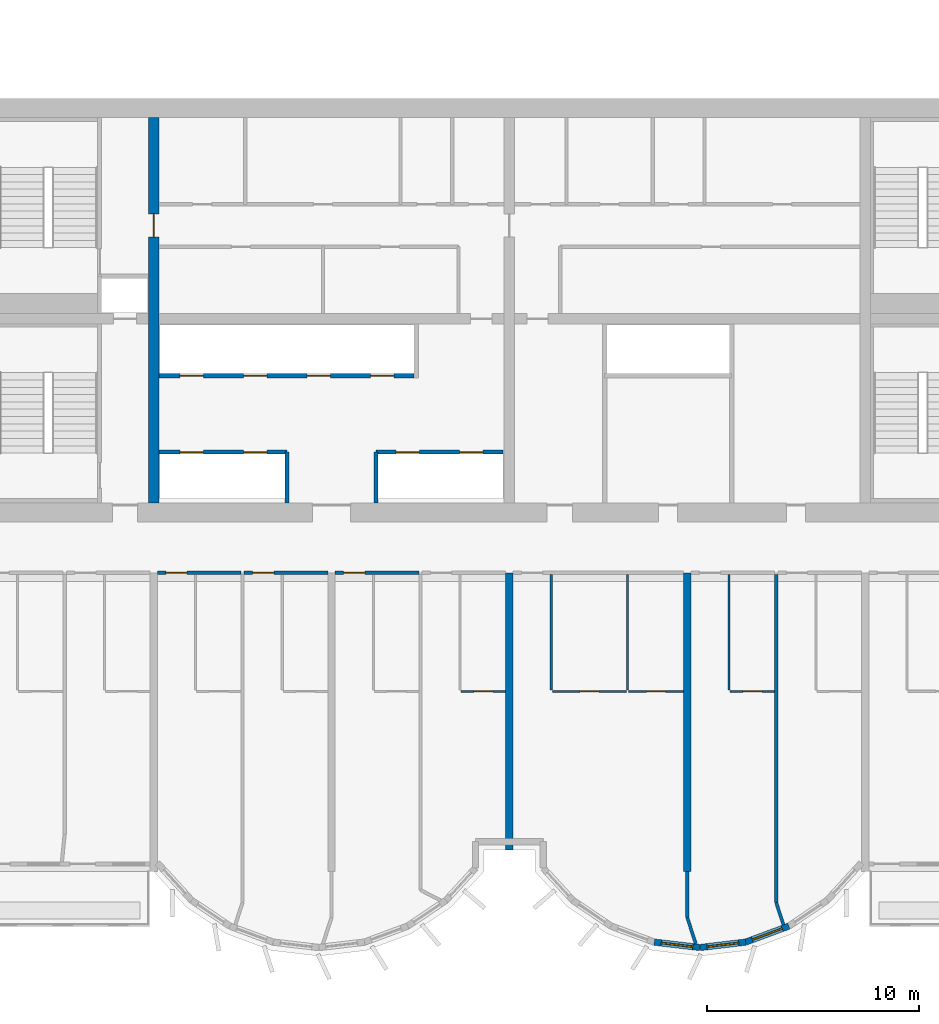
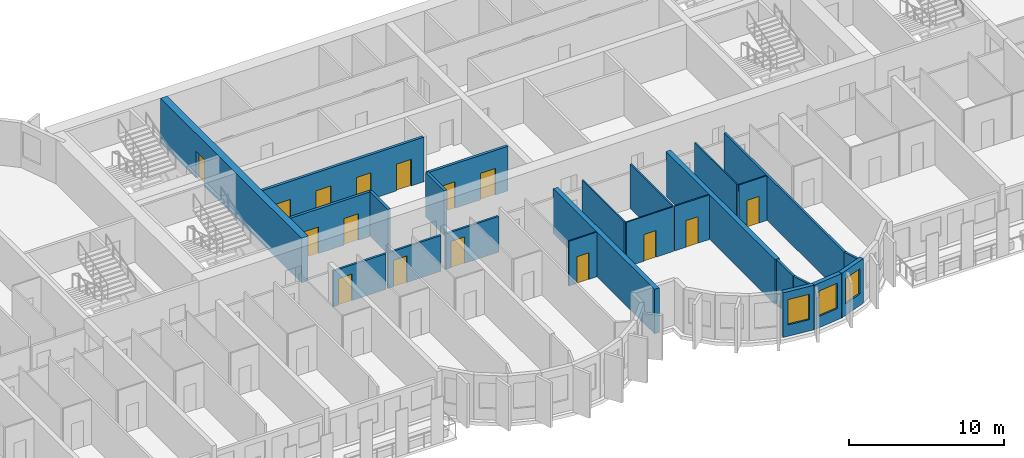
# One storey, part 6 of 15: 25 walls, 16 doors, 3 windows, 19 openings.
"""IFC4 building model written with IfcOpenShell, lengths in metres."""

from ifc_helpers import new_model, si_unit, direction, frame, frame_2d, origin, place, context, subcontext, project, spatial, rectangle, extrude, source, transform, mapped, material, layer, layer_set, type_object, element, fill, save


model = new_model("IFC4")

# Units and contexts
model_context = context("Model", 3, precision=1e-05, world=origin(), true_north=direction((0.0, 1.0)))
body_context = subcontext(model_context, "Body", "Model", "MODEL_VIEW")
ifc_project = project(units=[si_unit("LENGTHUNIT", "METRE"), si_unit("AREAUNIT", "SQUARE_METRE"), si_unit("VOLUMEUNIT", "CUBIC_METRE"), si_unit("PLANEANGLEUNIT", "RADIAN"), si_unit("MASSUNIT", "GRAM", prefix="KILO")], contexts=[model_context])

# Site, building, storey
site_placement = place(None, origin())
site = spatial("IfcSite", under=ifc_project, at=site_placement, CompositionType="ELEMENT")
building_placement = place(site_placement, origin())
building = spatial("IfcBuilding", under=site, at=building_placement, Name="Vanashikhar Sky Hotel", CompositionType="ELEMENT")
storey_placement = place(building_placement, frame((0.0, 0.0, 106.60009765625)))
storey = spatial("IfcBuildingStorey", under=building, at=storey_placement, Name="L25", CompositionType="ELEMENT", Elevation=106.60009765625)

# Wall, opening, door
ifc_material_1 = material(Name="Concrete M70", Category="concrete")
ifc_layer_1 = layer(ifc_material_1, 0.5)
ifc_layer_set_1 = layer_set([ifc_layer_1], Name="RC core inner wall 500 Concrete M70")
wall_type_1 = type_object("IfcWallType", Name="RC core inner wall 500 Concrete M70", PredefinedType="SHEAR", material=ifc_layer_set_1)
shared_shape_1 = source(origin(), body_context, "Body", "SweptSolid", [
    extrude(rectangle(XDim=18.2001953125, YDim=0.5, at=frame_2d((9.10009765625, 0.0))), origin(), (0.0, 0.0, 1.0), 3.52001953125),
])
wall_1_placement = place(storey_placement, frame((33.60009765625, 22.89990234375, 0.0), z_axis=(0.0, 0.0, 1.0), x_axis=(0.0, 1.0, 0.0)))
wall_1 = element("IfcWall", 1, at=wall_1_placement, inside=storey, type_object=wall_type_1, Name="KW-L25-KX1", PredefinedType="SHEAR", context=body_context, shape_type="MappedRepresentation", body=[
    mapped(shared_shape_1, transform((0.0, 0.0, 0.0), scale=1.0)),
])
shared_shape_2 = source(origin(), body_context, "Body", "SweptSolid", [
    extrude(rectangle(XDim=1.10009765625, YDim=2.10009765625, at=frame_2d((0.550048828125, 1.050048828125))), frame((0.0, 0.260009765625, 0.0), z_axis=(0.0, -1.0, 0.0), x_axis=(1.0, 0.0, 0.0)), (0.0, 0.0, 1.0), 0.52001953125),
])
opening_1_placement = place(wall_1_placement, frame((12.550048828125, 0.0, 0.0)))
opening_1 = element("IfcOpeningElement", 2, at=opening_1_placement, cuts=wall_1, Name="Opening DC-4-C", PredefinedType="OPENING", context=body_context, shape_type="MappedRepresentation", body=[
    mapped(shared_shape_2, transform((0.0, 0.0, 0.0), scale=1.0)),
])
ifc_material_2 = material(Name="Steel", Category="steel")
door_type_1 = type_object("IfcDoorType", Name="Service door 1100 FD60", OperationType="NOTDEFINED", PredefinedType="DOOR", material=ifc_material_2)
shared_shape_3 = source(origin(), body_context, "Body", "SweptSolid", [
    extrude(rectangle(XDim=1.10009765625, YDim=2.10009765625, at=frame_2d((0.550048828125, 1.050048828125))), frame((0.0, 0.02490234375, 0.0), z_axis=(0.0, -1.0, 0.0), x_axis=(1.0, 0.0, 0.0)), (0.0, 0.0, 1.0), 0.050048828125),
])
door_1_placement = place(opening_1_placement, origin())
door_1 = element("IfcDoor", 3, at=door_1_placement, inside=storey, type_object=door_type_1, Name="Service door 1100 FD60", OperationType="SINGLE_SWING_RIGHT", OverallHeight=2.10009765625, OverallWidth=1.10009765625, PredefinedType="DOOR", context=body_context, shape_type="MappedRepresentation", body=[
    mapped(shared_shape_3, transform((0.0, 0.0, 0.0), scale=1.0)),
])
fill(opening_1, door_1)

# Walls
ifc_layer_2 = layer(ifc_material_1, 0.35009765625)
ifc_layer_set_2 = layer_set([ifc_layer_2], Name="RC shear wall 350 Concrete M70")
wall_type_2 = type_object("IfcWallType", Name="RC shear wall 350 Concrete M70", PredefinedType="SHEAR", material=ifc_layer_set_2)
shared_shape_4 = source(origin(), body_context, "Body", "SweptSolid", [
    extrude(rectangle(XDim=14.10009765625, YDim=0.35009765625, at=frame_2d((7.050048828125, 0.0))), origin(), (0.0, 0.0, 1.0), 3.52001953125),
])
wall_2_placement = place(storey_placement, frame((58.800048828125, 5.5, 0.0), z_axis=(0.0, 0.0, 1.0), x_axis=(0.0, 1.0, 0.0)))
element("IfcWall", 4, at=wall_2_placement, inside=storey, type_object=wall_type_2, Name="CW-L25-XW08-1", PredefinedType="SHEAR", context=body_context, shape_type="MappedRepresentation", body=[
    mapped(shared_shape_4, transform((0.0, 0.0, 0.0), scale=1.0)),
])
shared_shape_5 = source(origin(), body_context, "Body", "SweptSolid", [
    extrude(rectangle(XDim=13.10009765625, YDim=0.35009765625, at=frame_2d((6.550048828125, 0.0))), origin(), (0.0, 0.0, 1.0), 3.52001953125),
])
wall_3_placement = place(storey_placement, frame((50.39990234375, 6.5, 0.0), z_axis=(0.0, 0.0, 1.0), x_axis=(0.0, 1.0, 0.0)))
element("IfcWall", 5, at=wall_3_placement, inside=storey, type_object=wall_type_2, Name="CW-L25-XW07-1", PredefinedType="SHEAR", context=body_context, shape_type="MappedRepresentation", body=[
    mapped(shared_shape_5, transform((0.0, 0.0, 0.0), scale=1.0)),
])

# Wall, opening, window
ifc_material_3 = material(Name="Concrete M50", Category="concrete")
ifc_layer_3 = layer(ifc_material_3, 0.300048828125)
ifc_layer_set_3 = layer_set([ifc_layer_3], Name="Lobe wall 300")
wall_type_3 = type_object("IfcWallType", Name="Lobe wall 300", PredefinedType="SOLIDWALL", material=ifc_layer_set_3)
shared_shape_6 = source(origin(), body_context, "Body", "SweptSolid", [
    extrude(rectangle(XDim=2.174560546875, YDim=0.300048828125, at=frame_2d((1.08740234375, 0.0))), origin(), (0.0, 0.0, 1.0), 3.52001953125),
])
wall_4_placement = place(storey_placement, frame((57.240478515625, 2.15966796875, 0.0), z_axis=(0.0, 0.0, 1.0), x_axis=(0.993001132889, -0.118104826659, 0.0)))
wall_4 = element("IfcWall", 6, at=wall_4_placement, inside=storey, type_object=wall_type_3, Name="Lobe wall", PredefinedType="SOLIDWALL", context=body_context, shape_type="MappedRepresentation", body=[
    mapped(shared_shape_6, transform((0.0, 0.0, 0.0), scale=1.0)),
])
shared_shape_7 = source(origin(), body_context, "Body", "SweptSolid", [
    extrude(rectangle(XDim=1.5, YDim=2.0, at=frame_2d((0.75, 1.0))), frame((0.0, 0.16015625, 0.0), z_axis=(0.0, -1.0, 0.0), x_axis=(1.0, 0.0, 0.0)), (0.0, 0.0, 1.0), 0.320068359375),
])
opening_2_placement = place(wall_4_placement, frame((0.33740234375, 0.0, 0.89990234375)))
opening_2 = element("IfcOpeningElement", 7, at=opening_2_placement, cuts=wall_4, Name="Opening WN-2", PredefinedType="OPENING", context=body_context, shape_type="MappedRepresentation", body=[
    mapped(shared_shape_7, transform((0.0, 0.0, 0.0), scale=1.0)),
])
ifc_material_4 = material(Name="Glass", Category="glass")
window_type = type_object("IfcWindowType", Name="Lobe window 1500 x 2000", PartitioningType="SINGLE_PANEL", PredefinedType="WINDOW", material=ifc_material_4)
shared_shape_8 = source(origin(), body_context, "Body", "SweptSolid", [
    extrude(rectangle(XDim=1.5, YDim=2.0, at=frame_2d((0.75, 1.0))), frame((0.0, 0.030029296875, 0.0), z_axis=(0.0, -1.0, 0.0), x_axis=(1.0, 0.0, 0.0)), (0.0, 0.0, 1.0), 0.06005859375),
])
window_1_placement = place(opening_2_placement, origin())
window_1 = element("IfcWindow", 8, at=window_1_placement, inside=storey, type_object=window_type, Name="Window WN-2", OverallHeight=2.0, OverallWidth=1.5, PartitioningType="SINGLE_PANEL", PredefinedType="WINDOW", context=body_context, shape_type="MappedRepresentation", body=[
    mapped(shared_shape_8, transform((0.0, 0.0, 0.0), scale=1.0)),
])
fill(opening_2, window_1)

shared_shape_9 = source(origin(), body_context, "Body", "SweptSolid", [
    extrude(rectangle(XDim=2.1748046875, YDim=0.300048828125, at=frame_2d((1.08740234375, 0.0))), origin(), (0.0, 0.0, 1.0), 3.52001953125),
])
wall_5_placement = place(storey_placement, frame((59.39990234375, 1.90283203125, 0.0), z_axis=(0.0, 0.0, 1.0), x_axis=(0.993002698611, 0.118091661648, 0.0)))
wall_5 = element("IfcWall", 9, at=wall_5_placement, inside=storey, type_object=wall_type_3, Name="Lobe wall", PredefinedType="SOLIDWALL", context=body_context, shape_type="MappedRepresentation", body=[
    mapped(shared_shape_9, transform((0.0, 0.0, 0.0), scale=1.0)),
])
opening_3_placement = place(wall_5_placement, frame((0.33740234375, 0.0, 0.89990234375)))
opening_3 = element("IfcOpeningElement", 10, at=opening_3_placement, cuts=wall_5, Name="Opening WN-2", PredefinedType="OPENING", context=body_context, shape_type="MappedRepresentation", body=[
    mapped(shared_shape_7, transform((0.0, 0.0, 0.0), scale=1.0)),
])
window_2_placement = place(opening_3_placement, origin())
window_2 = element("IfcWindow", 11, at=window_2_placement, inside=storey, type_object=window_type, Name="Window WN-2", OverallHeight=2.0, OverallWidth=1.5, PartitioningType="SINGLE_PANEL", PredefinedType="WINDOW", context=body_context, shape_type="MappedRepresentation", body=[
    mapped(shared_shape_8, transform((0.0, 0.0, 0.0), scale=1.0)),
])
fill(opening_3, window_2)

shared_shape_10 = source(origin(), body_context, "Body", "SweptSolid", [
    extrude(rectangle(XDim=2.175537109375, YDim=0.300048828125, at=frame_2d((1.087890625, 0.0))), origin(), (0.0, 0.0, 1.0), 3.52001953125),
])
wall_6_placement = place(storey_placement, frame((61.5595703125, 2.15966796875, 0.0), z_axis=(0.0, 0.0, 1.0), x_axis=(0.937531979054, 0.347899106424, 0.0)))
wall_6 = element("IfcWall", 12, at=wall_6_placement, inside=storey, type_object=wall_type_3, Name="Lobe wall", PredefinedType="SOLIDWALL", context=body_context, shape_type="MappedRepresentation", body=[
    mapped(shared_shape_10, transform((0.0, 0.0, 0.0), scale=1.0)),
])
opening_4_placement = place(wall_6_placement, frame((0.337890625, 0.0, 0.89990234375)))
opening_4 = element("IfcOpeningElement", 13, at=opening_4_placement, cuts=wall_6, Name="Opening WN-2", PredefinedType="OPENING", context=body_context, shape_type="MappedRepresentation", body=[
    mapped(shared_shape_7, transform((0.0, 0.0, 0.0), scale=1.0)),
])
window_3_placement = place(opening_4_placement, origin())
window_3 = element("IfcWindow", 14, at=window_3_placement, inside=storey, type_object=window_type, Name="Window WN-2", OverallHeight=2.0, OverallWidth=1.5, PartitioningType="SINGLE_PANEL", PredefinedType="WINDOW", context=body_context, shape_type="MappedRepresentation", body=[
    mapped(shared_shape_8, transform((0.0, 0.0, 0.0), scale=1.0)),
])
fill(opening_4, window_3)

# Wall, openings, doors
ifc_material_5 = material(Name="Concrete M40", Category="concrete")
ifc_layer_4 = layer(ifc_material_5, 0.199951171875)
ifc_layer_set_4 = layer_set([ifc_layer_4], Name="Shaft wall 200")
wall_type_4 = type_object("IfcWallType", Name="Shaft wall 200", PredefinedType="SOLIDWALL", material=ifc_layer_set_4)
shared_shape_11 = source(origin(), body_context, "Body", "SweptSolid", [
    extrude(rectangle(XDim=6.0, YDim=0.199951171875, at=frame_2d((3.0, 0.0))), origin(), (0.0, 0.0, 1.0), 3.52001953125),
])
wall_7_placement = place(storey_placement, frame((44.10009765625, 25.300048828125, 0.0), z_axis=(0.0, 0.0, 1.0), x_axis=(1.0, 0.0, 0.0)))
wall_7 = element("IfcWall", 15, at=wall_7_placement, inside=storey, type_object=wall_type_4, Name="Shaft wall 200", PredefinedType="SOLIDWALL", context=body_context, shape_type="MappedRepresentation", body=[
    mapped(shared_shape_11, transform((0.0, 0.0, 0.0), scale=1.0)),
])
shared_shape_12 = source(origin(), body_context, "Body", "SweptSolid", [
    extrude(rectangle(XDim=1.10009765625, YDim=2.10009765625, at=frame_2d((0.550048828125, 1.050048828125))), frame((0.0, 0.10986328125, 0.0), z_axis=(0.0, -1.0, 0.0), x_axis=(1.0, 0.0, 0.0)), (0.0, 0.0, 1.0), 0.219970703125),
])
opening_5_placement = place(wall_7_placement, frame((0.949951171875, 0.0, 0.0)))
opening_5 = element("IfcOpeningElement", 16, at=opening_5_placement, cuts=wall_7, Name="Opening LD", PredefinedType="OPENING", context=body_context, shape_type="MappedRepresentation", body=[
    mapped(shared_shape_12, transform((0.0, 0.0, 0.0), scale=1.0)),
])
opening_6_placement = place(wall_7_placement, frame((3.949951171875, 0.0, 0.0)))
opening_6 = element("IfcOpeningElement", 17, at=opening_6_placement, cuts=wall_7, Name="Opening LD", PredefinedType="OPENING", context=body_context, shape_type="MappedRepresentation", body=[
    mapped(shared_shape_12, transform((0.0, 0.0, 0.0), scale=1.0)),
])
ifc_material_6 = material(Name="Stainless steel", Category="steel")
door_type_2 = type_object("IfcDoorType", Name="Lift landing door 1100", OperationType="NOTDEFINED", PredefinedType="DOOR", material=ifc_material_6)
door_2_placement = place(opening_5_placement, origin())
door_2 = element("IfcDoor", 18, at=door_2_placement, inside=storey, type_object=door_type_2, Name="Lift landing door 1100", OperationType="SLIDING_TO_LEFT", OverallHeight=2.10009765625, OverallWidth=1.10009765625, PredefinedType="DOOR", context=body_context, shape_type="MappedRepresentation", body=[
    mapped(shared_shape_3, transform((0.0, 0.0, 0.0), scale=1.0)),
])
fill(opening_5, door_2)
door_3_placement = place(opening_6_placement, origin())
door_3 = element("IfcDoor", 19, at=door_3_placement, inside=storey, type_object=door_type_2, Name="Lift landing door 1100", OperationType="SLIDING_TO_RIGHT", OverallHeight=2.10009765625, OverallWidth=1.10009765625, PredefinedType="DOOR", context=body_context, shape_type="MappedRepresentation", body=[
    mapped(shared_shape_3, transform((0.0, 0.0, 0.0), scale=1.0)),
])
fill(opening_6, door_3)

shared_shape_13 = source(origin(), body_context, "Body", "SweptSolid", [
    extrude(rectangle(XDim=6.0498046875, YDim=0.199951171875, at=frame_2d((3.02490234375, 0.0))), origin(), (0.0, 0.0, 1.0), 3.52001953125),
])
wall_8_placement = place(storey_placement, frame((33.85009765625, 25.300048828125, 0.0), z_axis=(0.0, 0.0, 1.0), x_axis=(1.0, 0.0, 0.0)))
wall_8 = element("IfcWall", 20, at=wall_8_placement, inside=storey, type_object=wall_type_4, Name="Shaft wall 200", PredefinedType="SOLIDWALL", context=body_context, shape_type="MappedRepresentation", body=[
    mapped(shared_shape_13, transform((0.0, 0.0, 0.0), scale=1.0)),
])
opening_7_placement = place(wall_8_placement, frame((1.0, 0.0, 0.0)))
opening_7 = element("IfcOpeningElement", 21, at=opening_7_placement, cuts=wall_8, Name="Opening LD", PredefinedType="OPENING", context=body_context, shape_type="MappedRepresentation", body=[
    mapped(shared_shape_12, transform((0.0, 0.0, 0.0), scale=1.0)),
])
opening_8_placement = place(wall_8_placement, frame((4.0, 0.0, 0.0)))
opening_8 = element("IfcOpeningElement", 22, at=opening_8_placement, cuts=wall_8, Name="Opening LD", PredefinedType="OPENING", context=body_context, shape_type="MappedRepresentation", body=[
    mapped(shared_shape_12, transform((0.0, 0.0, 0.0), scale=1.0)),
])
door_4_placement = place(opening_7_placement, origin())
door_4 = element("IfcDoor", 23, at=door_4_placement, inside=storey, type_object=door_type_2, Name="Lift landing door 1100", OperationType="SLIDING_TO_LEFT", OverallHeight=2.10009765625, OverallWidth=1.10009765625, PredefinedType="DOOR", context=body_context, shape_type="MappedRepresentation", body=[
    mapped(shared_shape_3, transform((0.0, 0.0, 0.0), scale=1.0)),
])
fill(opening_7, door_4)
door_5_placement = place(opening_8_placement, origin())
door_5 = element("IfcDoor", 24, at=door_5_placement, inside=storey, type_object=door_type_2, Name="Lift landing door 1100", OperationType="SLIDING_TO_RIGHT", OverallHeight=2.10009765625, OverallWidth=1.10009765625, PredefinedType="DOOR", context=body_context, shape_type="MappedRepresentation", body=[
    mapped(shared_shape_3, transform((0.0, 0.0, 0.0), scale=1.0)),
])
fill(opening_8, door_5)

shared_shape_14 = source(origin(), body_context, "Body", "SweptSolid", [
    extrude(rectangle(XDim=12.0498046875, YDim=0.199951171875, at=frame_2d((6.02490234375, 0.0))), origin(), (0.0, 0.0, 1.0), 3.52001953125),
])
wall_9_placement = place(storey_placement, frame((33.85009765625, 28.89990234375, 0.0), z_axis=(0.0, 0.0, 1.0), x_axis=(1.0, 0.0, 0.0)))
wall_9 = element("IfcWall", 25, at=wall_9_placement, inside=storey, type_object=wall_type_4, Name="Shaft wall 200", PredefinedType="SOLIDWALL", context=body_context, shape_type="MappedRepresentation", body=[
    mapped(shared_shape_14, transform((0.0, 0.0, 0.0), scale=1.0)),
])
opening_9_placement = place(wall_9_placement, frame((1.0, 0.0, 0.0)))
opening_9 = element("IfcOpeningElement", 26, at=opening_9_placement, cuts=wall_9, Name="Opening LD", PredefinedType="OPENING", context=body_context, shape_type="MappedRepresentation", body=[
    mapped(shared_shape_12, transform((0.0, 0.0, 0.0), scale=1.0)),
])
opening_10_placement = place(wall_9_placement, frame((4.0, 0.0, 0.0)))
opening_10 = element("IfcOpeningElement", 27, at=opening_10_placement, cuts=wall_9, Name="Opening LD", PredefinedType="OPENING", context=body_context, shape_type="MappedRepresentation", body=[
    mapped(shared_shape_12, transform((0.0, 0.0, 0.0), scale=1.0)),
])
opening_11_placement = place(wall_9_placement, frame((7.0, 0.0, 0.0)))
opening_11 = element("IfcOpeningElement", 28, at=opening_11_placement, cuts=wall_9, Name="Opening LD", PredefinedType="OPENING", context=body_context, shape_type="MappedRepresentation", body=[
    mapped(shared_shape_12, transform((0.0, 0.0, 0.0), scale=1.0)),
])
opening_12_placement = place(wall_9_placement, frame((10.0, 0.0, 0.0)))
opening_12 = element("IfcOpeningElement", 29, at=opening_12_placement, cuts=wall_9, Name="Opening LD", PredefinedType="OPENING", context=body_context, shape_type="MappedRepresentation", body=[
    mapped(shared_shape_12, transform((0.0, 0.0, 0.0), scale=1.0)),
])
door_6_placement = place(opening_9_placement, origin())
door_6 = element("IfcDoor", 30, at=door_6_placement, inside=storey, type_object=door_type_2, Name="Lift landing door 1100", OperationType="SLIDING_TO_LEFT", OverallHeight=2.10009765625, OverallWidth=1.10009765625, PredefinedType="DOOR", context=body_context, shape_type="MappedRepresentation", body=[
    mapped(shared_shape_3, transform((0.0, 0.0, 0.0), scale=1.0)),
])
fill(opening_9, door_6)
door_7_placement = place(opening_10_placement, origin())
door_7 = element("IfcDoor", 31, at=door_7_placement, inside=storey, type_object=door_type_2, Name="Lift landing door 1100", OperationType="SLIDING_TO_RIGHT", OverallHeight=2.10009765625, OverallWidth=1.10009765625, PredefinedType="DOOR", context=body_context, shape_type="MappedRepresentation", body=[
    mapped(shared_shape_3, transform((0.0, 0.0, 0.0), scale=1.0)),
])
fill(opening_10, door_7)
door_8_placement = place(opening_11_placement, origin())
door_8 = element("IfcDoor", 32, at=door_8_placement, inside=storey, type_object=door_type_2, Name="Lift landing door 1100", OperationType="SLIDING_TO_LEFT", OverallHeight=2.10009765625, OverallWidth=1.10009765625, PredefinedType="DOOR", context=body_context, shape_type="MappedRepresentation", body=[
    mapped(shared_shape_3, transform((0.0, 0.0, 0.0), scale=1.0)),
])
fill(opening_11, door_8)
door_9_placement = place(opening_12_placement, origin())
door_9 = element("IfcDoor", 33, at=door_9_placement, inside=storey, type_object=door_type_2, Name="Lift landing door 1100", OperationType="SLIDING_TO_RIGHT", OverallHeight=2.10009765625, OverallWidth=1.10009765625, PredefinedType="DOOR", context=body_context, shape_type="MappedRepresentation", body=[
    mapped(shared_shape_3, transform((0.0, 0.0, 0.0), scale=1.0)),
])
fill(opening_12, door_9)

# Walls
shared_shape_15 = source(origin(), body_context, "Body", "SweptSolid", [
    extrude(rectangle(XDim=2.400146484375, YDim=0.199951171875, at=frame_2d((1.2001953125, 0.0))), origin(), (0.0, 0.0, 1.0), 3.52001953125),
])
for number, where, z_axis, x_axis, name in (
    (34, (39.89990234375, 22.89990234375, 0.0), (0.0, 0.0, 1.0), (0.0, 1.0, 0.0), "Shaft wall 200"),
    (35, (44.10009765625, 22.89990234375, 0.0), (0.0, 0.0, 1.0), (0.0, 1.0, 0.0), "Shaft wall 200"),
):
    element("IfcWall", number, at=place(storey_placement, frame(where, z_axis=z_axis, x_axis=x_axis)), inside=storey, type_object=wall_type_4, Name=name, PredefinedType="SOLIDWALL", context=body_context, shape_type="MappedRepresentation", body=[
        mapped(shared_shape_15, transform((0.0, 0.0, 0.0), scale=1.0)),
    ])
ifc_material_7 = material(Name="Gypsum plasterboard partition")
ifc_layer_5 = layer(ifc_material_7, 0.14990234375)
ifc_layer_set_5 = layer_set([ifc_layer_5], Name="Corridor and demising partition 150")
wall_type_5 = type_object("IfcWallType", Name="Corridor and demising partition 150", PredefinedType="PARTITIONING", material=ifc_layer_set_5)
shared_shape_16 = source(origin(), body_context, "Body", "SweptSolid", [
    extrude(rectangle(XDim=2.177978515625, YDim=0.14990234375, at=frame_2d((1.0888671875, 0.0))), origin(), (0.0, 0.0, 1.0), 3.52001953125),
])
wall_10_placement = place(storey_placement, frame((58.800048828125, 3.322021484375, 0.0), z_axis=(0.0, 0.0, 1.0), x_axis=(0.0, 1.0, 0.0)))
element("IfcWall", 36, at=wall_10_placement, inside=storey, type_object=wall_type_5, Name="W-L25-PW080", PredefinedType="PARTITIONING", context=body_context, shape_type="MappedRepresentation", body=[
    mapped(shared_shape_16, transform((0.0, 0.0, 0.0), scale=1.0)),
])

# Wall, opening, door
ifc_layer_6 = layer(ifc_material_7, 0.10009765625)
ifc_layer_set_6 = layer_set([ifc_layer_6], Name="Wet room partition 100")
wall_type_6 = type_object("IfcWallType", Name="Wet room partition 100", PredefinedType="PARTITIONING", material=ifc_layer_set_6)
shared_shape_17 = source(origin(), body_context, "Body", "SweptSolid", [
    extrude(rectangle(XDim=3.5, YDim=0.10009765625, at=frame_2d((1.75, 0.0))), origin(), (0.0, 0.0, 1.0), 3.52001953125),
])
wall_11_placement = place(storey_placement, frame((52.425048828125, 14.0, 0.0), z_axis=(0.0, 0.0, 1.0), x_axis=(1.0, 0.0, 0.0)))
wall_11 = element("IfcWall", 37, at=wall_11_placement, inside=storey, type_object=wall_type_6, Name="W-L25-PW045", PredefinedType="PARTITIONING", context=body_context, shape_type="MappedRepresentation", body=[
    mapped(shared_shape_17, transform((0.0, 0.0, 0.0), scale=1.0)),
])
shared_shape_18 = source(origin(), body_context, "Body", "SweptSolid", [
    extrude(rectangle(XDim=0.89990234375, YDim=2.10009765625, at=frame_2d((0.449951171875, 1.050048828125))), frame((0.0, 0.06005859375, 0.0), z_axis=(0.0, -1.0, 0.0), x_axis=(1.0, 0.0, 0.0)), (0.0, 0.0, 1.0), 0.1201171875),
])
opening_13_placement = place(wall_11_placement, frame((1.300048828125, 0.0, 0.0)))
opening_13 = element("IfcOpeningElement", 38, at=opening_13_placement, cuts=wall_11, Name="Opening D-02", PredefinedType="OPENING", context=body_context, shape_type="MappedRepresentation", body=[
    mapped(shared_shape_18, transform((0.0, 0.0, 0.0), scale=1.0)),
])
ifc_material_8 = material(Name="Timber door", Category="wood")
door_type_3 = type_object("IfcDoorType", Name="Internal door 900", OperationType="NOTDEFINED", PredefinedType="DOOR", material=ifc_material_8)
shared_shape_19 = source(origin(), body_context, "Body", "SweptSolid", [
    extrude(rectangle(XDim=0.89990234375, YDim=2.10009765625, at=frame_2d((0.449951171875, 1.050048828125))), frame((0.0, 0.02490234375, 0.0), z_axis=(0.0, -1.0, 0.0), x_axis=(1.0, 0.0, 0.0)), (0.0, 0.0, 1.0), 0.050048828125),
])
door_10_placement = place(opening_13_placement, origin())
door_10 = element("IfcDoor", 39, at=door_10_placement, inside=storey, type_object=door_type_3, Name="D-L25-025", OperationType="SINGLE_SWING_LEFT", OverallHeight=2.10009765625, OverallWidth=0.89990234375, PredefinedType="DOOR", context=body_context, shape_type="MappedRepresentation", body=[
    mapped(shared_shape_19, transform((0.0, 0.0, 0.0), scale=1.0)),
])
fill(opening_13, door_10)

# Walls
shared_shape_20 = source(origin(), body_context, "Body", "SweptSolid", [
    extrude(rectangle(XDim=1.100830078125, YDim=0.14990234375, at=frame_2d((0.55029296875, 0.0))), origin(), (0.0, 0.0, 1.0), 3.52001953125),
])
wall_12_placement = place(storey_placement, frame((63.343017578125, 2.98095703125, 0.0), z_axis=(0.0, 0.0, 1.0), x_axis=(-0.311567081539, 0.950224159712, 0.0)))
element("IfcWall", 40, at=wall_12_placement, inside=storey, type_object=wall_type_5, Name="W-L25-PW054B0", PredefinedType="PARTITIONING", context=body_context, shape_type="MappedRepresentation", body=[
    mapped(shared_shape_20, transform((0.0, 0.0, 0.0), scale=1.0)),
])
shared_shape_21 = source(origin(), body_context, "Body", "SweptSolid", [
    extrude(rectangle(XDim=1.308349609375, YDim=0.14990234375, at=frame_2d((0.654296875, 0.0))), origin(), (0.0, 0.0, 1.0), 3.52001953125),
])
wall_13_placement = place(storey_placement, frame((59.201904296875, 2.076904296875, 0.0), z_axis=(0.0, 0.0, 1.0), x_axis=(-0.307144529633, 0.951662880392, 0.0)))
element("IfcWall", 41, at=wall_13_placement, inside=storey, type_object=wall_type_5, Name="W-L25-PW080B0", PredefinedType="PARTITIONING", context=body_context, shape_type="MappedRepresentation", body=[
    mapped(shared_shape_21, transform((0.0, 0.0, 0.0), scale=1.0)),
])
shared_shape_22 = source(origin(), body_context, "Body", "SweptSolid", [
    extrude(rectangle(XDim=5.449951171875, YDim=0.10009765625, at=frame_2d((2.72509765625, 0.0))), origin(), (0.0, 0.0, 1.0), 3.52001953125),
])
for number, where, z_axis, x_axis, name in (
    (42, (52.375, 14.074951171875, 0.0), (0.0, 0.0, 1.0), (0.0, 1.0, 0.0), "W-L25-PW043"),
    (43, (55.97509765625, 14.074951171875, 0.0), (0.0, 0.0, 1.0), (0.0, 1.0, 0.0), "W-L25-PW044"),
    (44, (60.77490234375, 14.074951171875, 0.0), (0.0, 0.0, 1.0), (0.0, 1.0, 0.0), "W-L25-PW048"),
):
    element("IfcWall", number, at=place(storey_placement, frame(where, z_axis=z_axis, x_axis=x_axis)), inside=storey, type_object=wall_type_6, Name=name, PredefinedType="PARTITIONING", context=body_context, shape_type="MappedRepresentation", body=[
        mapped(shared_shape_22, transform((0.0, 0.0, 0.0), scale=1.0)),
    ])

# Wall, opening, door
shared_shape_23 = source(origin(), body_context, "Body", "SweptSolid", [
    extrude(rectangle(XDim=2.10009765625, YDim=0.10009765625, at=frame_2d((1.050048828125, 0.0))), origin(), (0.0, 0.0, 1.0), 3.52001953125),
])
wall_14_placement = place(storey_placement, frame((48.125, 14.0, 0.0), z_axis=(0.0, 0.0, 1.0), x_axis=(1.0, 0.0, 0.0)))
wall_14 = element("IfcWall", 45, at=wall_14_placement, inside=storey, type_object=wall_type_6, Name="W-L25-PW040", PredefinedType="PARTITIONING", context=body_context, shape_type="MappedRepresentation", body=[
    mapped(shared_shape_23, transform((0.0, 0.0, 0.0), scale=1.0)),
])
opening_14_placement = place(wall_14_placement, frame((0.60009765625, 0.0, 0.0)))
opening_14 = element("IfcOpeningElement", 46, at=opening_14_placement, cuts=wall_14, Name="Opening D-02", PredefinedType="OPENING", context=body_context, shape_type="MappedRepresentation", body=[
    mapped(shared_shape_18, transform((0.0, 0.0, 0.0), scale=1.0)),
])
door_11_placement = place(opening_14_placement, origin())
door_11 = element("IfcDoor", 47, at=door_11_placement, inside=storey, type_object=door_type_3, Name="D-L25-023", OperationType="SINGLE_SWING_LEFT", OverallHeight=2.10009765625, OverallWidth=0.89990234375, PredefinedType="DOOR", context=body_context, shape_type="MappedRepresentation", body=[
    mapped(shared_shape_19, transform((0.0, 0.0, 0.0), scale=1.0)),
])
fill(opening_14, door_11)

wall_15_placement = place(storey_placement, frame((60.824951171875, 14.0, 0.0), z_axis=(0.0, 0.0, 1.0), x_axis=(1.0, 0.0, 0.0)))
wall_15 = element("IfcWall", 48, at=wall_15_placement, inside=storey, type_object=wall_type_6, Name="W-L25-PW049", PredefinedType="PARTITIONING", context=body_context, shape_type="MappedRepresentation", body=[
    mapped(shared_shape_23, transform((0.0, 0.0, 0.0), scale=1.0)),
])
opening_15_placement = place(wall_15_placement, frame((0.60009765625, 0.0, 0.0)))
opening_15 = element("IfcOpeningElement", 49, at=opening_15_placement, cuts=wall_15, Name="Opening D-02", PredefinedType="OPENING", context=body_context, shape_type="MappedRepresentation", body=[
    mapped(shared_shape_18, transform((0.0, 0.0, 0.0), scale=1.0)),
])
door_12_placement = place(opening_15_placement, origin())
door_12 = element("IfcDoor", 50, at=door_12_placement, inside=storey, type_object=door_type_3, Name="D-L25-028", OperationType="SINGLE_SWING_LEFT", OverallHeight=2.10009765625, OverallWidth=0.89990234375, PredefinedType="DOOR", context=body_context, shape_type="MappedRepresentation", body=[
    mapped(shared_shape_19, transform((0.0, 0.0, 0.0), scale=1.0)),
])
fill(opening_15, door_12)

shared_shape_24 = source(origin(), body_context, "Body", "SweptSolid", [
    extrude(rectangle(XDim=2.60009765625, YDim=0.10009765625, at=frame_2d((1.300048828125, 0.0))), origin(), (0.0, 0.0, 1.0), 3.52001953125),
])
wall_16_placement = place(storey_placement, frame((56.02490234375, 14.0, 0.0), z_axis=(0.0, 0.0, 1.0), x_axis=(1.0, 0.0, 0.0)))
wall_16 = element("IfcWall", 51, at=wall_16_placement, inside=storey, type_object=wall_type_6, Name="W-L25-PW046", PredefinedType="PARTITIONING", context=body_context, shape_type="MappedRepresentation", body=[
    mapped(shared_shape_24, transform((0.0, 0.0, 0.0), scale=1.0)),
])
opening_16_placement = place(wall_16_placement, frame((0.85009765625, 0.0, 0.0)))
opening_16 = element("IfcOpeningElement", 52, at=opening_16_placement, cuts=wall_16, Name="Opening D-02", PredefinedType="OPENING", context=body_context, shape_type="MappedRepresentation", body=[
    mapped(shared_shape_18, transform((0.0, 0.0, 0.0), scale=1.0)),
])
door_13_placement = place(opening_16_placement, origin())
door_13 = element("IfcDoor", 53, at=door_13_placement, inside=storey, type_object=door_type_3, Name="D-L25-026", OperationType="SINGLE_SWING_LEFT", OverallHeight=2.10009765625, OverallWidth=0.89990234375, PredefinedType="DOOR", context=body_context, shape_type="MappedRepresentation", body=[
    mapped(shared_shape_19, transform((0.0, 0.0, 0.0), scale=1.0)),
])
fill(opening_16, door_13)

# Wall
shared_shape_25 = source(origin(), body_context, "Body", "SweptSolid", [
    extrude(rectangle(XDim=15.497802734375, YDim=0.14990234375, at=frame_2d((7.7490234375, 0.0))), origin(), (0.0, 0.0, 1.0), 3.52001953125),
])
wall_17_placement = place(storey_placement, frame((63.0, 4.027099609375, 0.0), z_axis=(0.0, 0.0, 1.0), x_axis=(0.0, 1.0, 0.0)))
element("IfcWall", 54, at=wall_17_placement, inside=storey, type_object=wall_type_5, Name="W-L25-PW054", PredefinedType="PARTITIONING", context=body_context, shape_type="MappedRepresentation", body=[
    mapped(shared_shape_25, transform((0.0, 0.0, 0.0), scale=1.0)),
])

# Wall, opening, door
shared_shape_26 = source(origin(), body_context, "Body", "SweptSolid", [
    extrude(rectangle(XDim=3.9501953125, YDim=0.14990234375, at=frame_2d((1.97509765625, 0.0))), origin(), (0.0, 0.0, 1.0), 2.81982421875),
])
wall_18_placement = place(storey_placement, frame((33.77490234375, 19.60009765625, 0.0), z_axis=(0.0, 0.0, 1.0), x_axis=(1.0, 0.0, 0.0)))
wall_18 = element("IfcWall", 55, at=wall_18_placement, inside=storey, type_object=wall_type_5, Name="W-L25-PW031", PredefinedType="PARTITIONING", context=body_context, shape_type="MappedRepresentation", body=[
    mapped(shared_shape_26, transform((0.0, 0.0, 0.0), scale=1.0)),
])
shared_shape_27 = source(origin(), body_context, "Body", "SweptSolid", [
    extrude(rectangle(XDim=1.0, YDim=2.10009765625, at=frame_2d((0.5, 1.050048828125))), frame((0.0, 0.0849609375, 0.0), z_axis=(0.0, -1.0, 0.0), x_axis=(1.0, 0.0, 0.0)), (0.0, 0.0, 1.0), 0.169921875),
])
opening_17_placement = place(wall_18_placement, frame((0.39990234375, 0.0, 0.0)))
opening_17 = element("IfcOpeningElement", 56, at=opening_17_placement, cuts=wall_18, Name="Opening D-01", PredefinedType="OPENING", context=body_context, shape_type="MappedRepresentation", body=[
    mapped(shared_shape_27, transform((0.0, 0.0, 0.0), scale=1.0)),
])
ifc_material_9 = material(Name="Timber fire door", Category="wood")
door_type_4 = type_object("IfcDoorType", Name="Guest entry door 1000 FD30S", OperationType="NOTDEFINED", PredefinedType="DOOR", material=ifc_material_9)
shared_shape_28 = source(origin(), body_context, "Body", "SweptSolid", [
    extrude(rectangle(XDim=1.0, YDim=2.10009765625, at=frame_2d((0.5, 1.050048828125))), frame((0.0, 0.02490234375, 0.0), z_axis=(0.0, -1.0, 0.0), x_axis=(1.0, 0.0, 0.0)), (0.0, 0.0, 1.0), 0.050048828125),
])
door_14_placement = place(opening_17_placement, origin())
door_14 = element("IfcDoor", 57, at=door_14_placement, inside=storey, type_object=door_type_4, Name="D-L25-018", OperationType="SINGLE_SWING_LEFT", OverallHeight=2.10009765625, OverallWidth=1.0, PredefinedType="DOOR", context=body_context, shape_type="MappedRepresentation", body=[
    mapped(shared_shape_28, transform((0.0, 0.0, 0.0), scale=1.0)),
])
fill(opening_17, door_14)

shared_shape_29 = source(origin(), body_context, "Body", "SweptSolid", [
    extrude(rectangle(XDim=3.949951171875, YDim=0.14990234375, at=frame_2d((1.97509765625, 0.0))), origin(), (0.0, 0.0, 1.0), 2.81982421875),
])
wall_19_placement = place(storey_placement, frame((37.875, 19.60009765625, 0.0), z_axis=(0.0, 0.0, 1.0), x_axis=(1.0, 0.0, 0.0)))
wall_19 = element("IfcWall", 58, at=wall_19_placement, inside=storey, type_object=wall_type_5, Name="W-L25-PW034", PredefinedType="PARTITIONING", context=body_context, shape_type="MappedRepresentation", body=[
    mapped(shared_shape_29, transform((0.0, 0.0, 0.0), scale=1.0)),
])
opening_18_placement = place(wall_19_placement, frame((0.39990234375, 0.0, 0.0)))
opening_18 = element("IfcOpeningElement", 59, at=opening_18_placement, cuts=wall_19, Name="Opening D-01", PredefinedType="OPENING", context=body_context, shape_type="MappedRepresentation", body=[
    mapped(shared_shape_27, transform((0.0, 0.0, 0.0), scale=1.0)),
])
door_15_placement = place(opening_18_placement, origin())
door_15 = element("IfcDoor", 60, at=door_15_placement, inside=storey, type_object=door_type_4, Name="D-L25-020", OperationType="SINGLE_SWING_LEFT", OverallHeight=2.10009765625, OverallWidth=1.0, PredefinedType="DOOR", context=body_context, shape_type="MappedRepresentation", body=[
    mapped(shared_shape_28, transform((0.0, 0.0, 0.0), scale=1.0)),
])
fill(opening_18, door_15)

wall_20_placement = place(storey_placement, frame((42.175048828125, 19.60009765625, 0.0), z_axis=(0.0, 0.0, 1.0), x_axis=(1.0, 0.0, 0.0)))
wall_20 = element("IfcWall", 61, at=wall_20_placement, inside=storey, type_object=wall_type_5, Name="W-L25-PW038", PredefinedType="PARTITIONING", context=body_context, shape_type="MappedRepresentation", body=[
    mapped(shared_shape_29, transform((0.0, 0.0, 0.0), scale=1.0)),
])
opening_19_placement = place(wall_20_placement, frame((0.39990234375, 0.0, 0.0)))
opening_19 = element("IfcOpeningElement", 62, at=opening_19_placement, cuts=wall_20, Name="Opening D-01", PredefinedType="OPENING", context=body_context, shape_type="MappedRepresentation", body=[
    mapped(shared_shape_27, transform((0.0, 0.0, 0.0), scale=1.0)),
])
door_16_placement = place(opening_19_placement, origin())
door_16 = element("IfcDoor", 63, at=door_16_placement, inside=storey, type_object=door_type_4, Name="D-L25-022", OperationType="SINGLE_SWING_LEFT", OverallHeight=2.10009765625, OverallWidth=1.0, PredefinedType="DOOR", context=body_context, shape_type="MappedRepresentation", body=[
    mapped(shared_shape_28, transform((0.0, 0.0, 0.0), scale=1.0)),
])
fill(opening_19, door_16)

save(model, "model.ifc")
